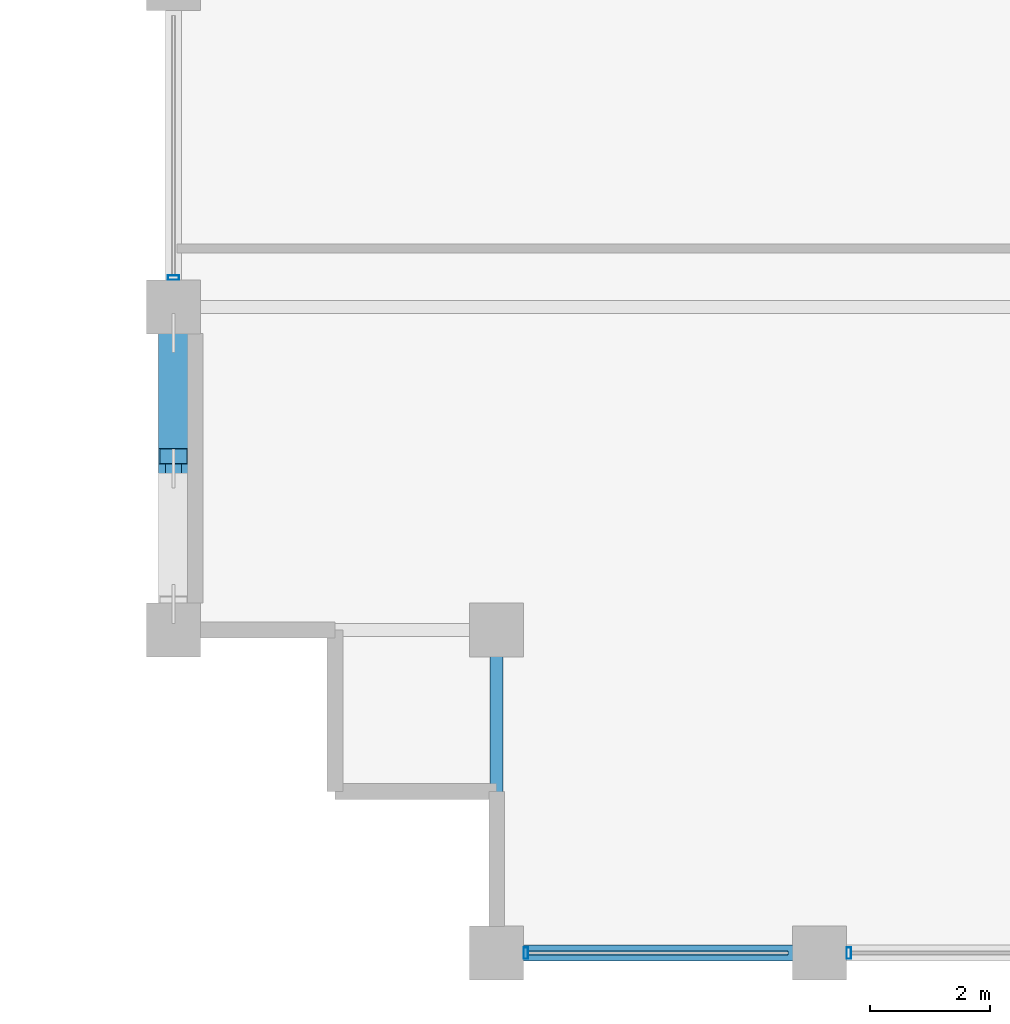
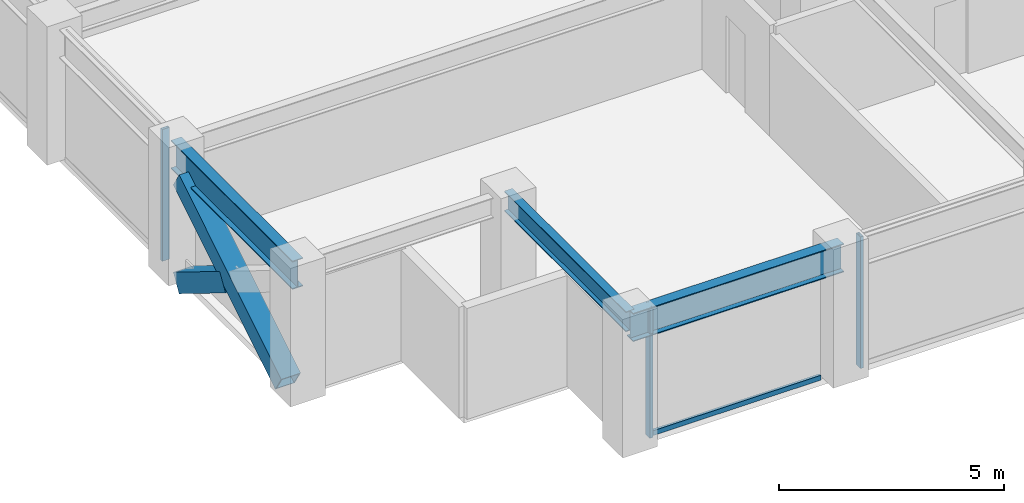
# One storey, part 2 of 28: 6 members, 3 beams, 2 elements without a shape of their own.
"""IFC4 building model written with IfcOpenShell, lengths in metres."""

from ifc_helpers import new_model, si_unit, direction, frame, origin, origin_2d, place, context, subcontext, project, spatial, hollow_rectangle, i_section, extrude, material, layer, layer_set, material_profile, profile_set, type_object, element, aggregate, save


model = new_model("IFC4")

# Units and contexts
model_context = context("Model", 3, precision=1e-05, world=origin(), true_north=direction((0.0, 1.0)))
body_context = subcontext(model_context, "Body", "Model", "MODEL_VIEW")
ifc_project = project(units=[si_unit("LENGTHUNIT", "METRE"), si_unit("AREAUNIT", "SQUARE_METRE"), si_unit("VOLUMEUNIT", "CUBIC_METRE"), si_unit("PLANEANGLEUNIT", "RADIAN"), si_unit("MASSUNIT", "GRAM", prefix="KILO")], contexts=[model_context])

# Site, building, storey
site_placement = place(None, origin())
site = spatial("IfcSite", under=ifc_project, at=site_placement, CompositionType="ELEMENT")
building_placement = place(site_placement, origin())
building = spatial("IfcBuilding", under=site, at=building_placement, Name="Surkhivell Harbour Commons", CompositionType="ELEMENT")
storey_placement = place(building_placement, frame((0.0, 0.0, 178.5)))
storey = spatial("IfcBuildingStorey", under=building, at=storey_placement, Name="L46", CompositionType="ELEMENT", Elevation=178.5)

# Beams
ifc_material_1 = material(Name="Steel S355", Category="steel")
ifc_material_profile_1 = material_profile(ifc_material_1, i_section(OverallWidth=0.2119140625, OverallDepth=0.5439453125, WebThickness=0.0126953125, FlangeThickness=0.021240234375, at=origin_2d()), Name="UB533x210x122")
ifc_profile_set_1 = profile_set([ifc_material_profile_1], Name="Steel S355")
beam_type_1 = type_object("IfcBeamType", Name="BM-GRD-533A", PredefinedType="BEAM", material=ifc_profile_set_1)
beam_1_placement = place(storey_placement, frame((-21.60009765625, -21.60009765625, 3.298095703125), z_axis=(0.0, 1.0, 0.0), x_axis=(-1.0, 0.0, 0.0)))
element("IfcBeam", 1, at=beam_1_placement, inside=storey, type_object=beam_type_1, Name="L46 Floor Girder (-21.6,-21.6)", PredefinedType="BEAM", context=body_context, shape_type="SweptSolid", body=[
    extrude(i_section(OverallWidth=0.2119140625, OverallDepth=0.5439453125, WebThickness=0.0126953125, FlangeThickness=0.021240234375, at=origin_2d()), origin(), (0.0, 0.0, 1.0), 5.400146484375),
])
ifc_material_profile_2 = material_profile(ifc_material_1, i_section(OverallWidth=0.26806640625, OverallDepth=0.77001953125, WebThickness=0.015625, FlangeThickness=0.025390625, at=origin_2d()), Name="UB762x267x197")
ifc_profile_set_2 = profile_set([ifc_material_profile_2], Name="Steel S355")
beam_type_2 = type_object("IfcBeamType", Name="BM-SPN-762", PredefinedType="SPANDREL", material=ifc_profile_set_2)
beam_2_placement = place(storey_placement, frame((-27.0, -16.199951171875, 3.18505859375), z_axis=(0.0, 1.0, 0.0), x_axis=(-1.0, 0.0, 0.0)))
element("IfcBeam", 2, at=beam_2_placement, inside=storey, type_object=beam_type_2, Name="L46 Tube Spandrel (-27.0,-16.2)", PredefinedType="SPANDREL", context=body_context, shape_type="SweptSolid", body=[
    extrude(i_section(OverallWidth=0.26806640625, OverallDepth=0.77001953125, WebThickness=0.015625, FlangeThickness=0.025390625, at=origin_2d()), origin(), (0.0, 0.0, 1.0), 5.39990234375),
])
beam_3_placement = place(storey_placement, frame((-21.60009765625, -21.60009765625, 3.18505859375), z_axis=(1.0, 0.0, 0.0), x_axis=(0.0, 1.0, 0.0)))
element("IfcBeam", 3, at=beam_3_placement, inside=storey, type_object=beam_type_2, Name="L46 Tube Spandrel (-21.6,-21.6)", PredefinedType="SPANDREL", context=body_context, shape_type="SweptSolid", body=[
    extrude(i_section(OverallWidth=0.26806640625, OverallDepth=0.77001953125, WebThickness=0.015625, FlangeThickness=0.025390625, at=origin_2d()), origin(), (0.0, 0.0, 1.0), 5.400146484375),
])

# Curtain wall, members
ifc_material_2 = material(Name="Anodised pale-metal aluminium and insulated glazing", Category="aluminium")
ifc_layer = layer(ifc_material_2, 0.18994140625)
ifc_layer_set = layer_set([ifc_layer], Name="Anodised pale-metal aluminium and insulated glazing")
curtain_wall_type = type_object("IfcCurtainWallType", Name="CW-SYS-Z3", PredefinedType="NOTDEFINED", material=ifc_layer_set)
curtain_wall_1_placement = place(storey_placement, origin())
curtain_wall_1 = element("IfcCurtainWall", 4, at=curtain_wall_1_placement, inside=storey, type_object=curtain_wall_type, Name="L46 Curtain Wall CW-L46-E00S1", PredefinedType="NOTDEFINED")
ifc_material_3 = material(Name="Anodised pale-metal aluminium alloy 6063-T6", Category="aluminium")
ifc_material_profile_3 = material_profile(ifc_material_3, hollow_rectangle(XDim=0.074951171875, YDim=0.18994140625, WallThickness=0.00390625, at=origin_2d()), Name="ALU-MULL-75x190")
ifc_profile_set_3 = profile_set([ifc_material_profile_3], Name="Anodised pale-metal aluminium alloy 6063-T6")
member_type_1 = type_object("IfcMemberType", Name="CWM-190", PredefinedType="MULLION", material=ifc_profile_set_3)
member_1_placement = place(storey_placement, frame((-21.110595703125, -21.60009765625, 0.0), z_axis=(0.0, 0.0, 1.0), x_axis=(1.0, 0.0, 0.0)))
member_1 = element("IfcMember", 5, at=member_1_placement, type_object=member_type_1, Name="CW-Z3 mullion 1", PredefinedType="MULLION", context=body_context, shape_type="SweptSolid", body=[
    extrude(hollow_rectangle(XDim=0.074951171875, YDim=0.18994140625, WallThickness=0.00390625, at=origin_2d()), origin(), (0.0, 0.0, 1.0), 3.570068359375),
])
member_2_placement = place(storey_placement, frame((-15.71044921875, -21.60009765625, 0.0), z_axis=(0.0, 0.0, 1.0), x_axis=(1.0, 0.0, 0.0)))
member_2 = element("IfcMember", 6, at=member_2_placement, type_object=member_type_1, Name="CW-Z3 mullion 2", PredefinedType="MULLION", context=body_context, shape_type="SweptSolid", body=[
    extrude(hollow_rectangle(XDim=0.074951171875, YDim=0.18994140625, WallThickness=0.00390625, at=origin_2d()), origin(), (0.0, 0.0, 1.0), 3.570068359375),
])

# Curtain wall, member
curtain_wall_2_placement = place(storey_placement, origin())
curtain_wall_2 = element("IfcCurtainWall", 7, at=curtain_wall_2_placement, inside=storey, type_object=curtain_wall_type, Name="L46 Curtain Wall CW-L46-E12R1S1", PredefinedType="NOTDEFINED")
member_3_placement = place(storey_placement, frame((-27.0, -10.310546875, 0.0), z_axis=(0.0, 0.0, 1.0), x_axis=(0.0, 1.0, 0.0)))
member_3 = element("IfcMember", 8, at=member_3_placement, type_object=member_type_1, Name="CW-Z3 mullion 1", PredefinedType="MULLION", context=body_context, shape_type="SweptSolid", body=[
    extrude(hollow_rectangle(XDim=0.074951171875, YDim=0.18994140625, WallThickness=0.00390625, at=origin_2d()), origin(), (0.0, 0.0, 1.0), 3.570068359375),
])
aggregate(curtain_wall_2, [member_3])

# Member
ifc_material_4 = material(Name="Champagne anodised aluminium alloy 6063-T6", Category="aluminium")
ifc_material_profile_4 = material_profile(ifc_material_4, hollow_rectangle(XDim=0.070068359375, YDim=0.1298828125, WallThickness=0.00341796875, at=origin_2d()), Name="ALU-TRAN-70x130")
ifc_profile_set_4 = profile_set([ifc_material_profile_4], Name="Champagne anodised aluminium alloy 6063-T6")
member_type_2 = type_object("IfcMemberType", Name="CWT-130", PredefinedType="USERDEFINED", material=ifc_profile_set_4)
member_4_placement = place(storey_placement, frame((-21.072998046875, -21.60009765625, 0.06494140625), z_axis=(1.0, 0.0, 0.0), x_axis=(0.0, 1.0, 0.0)))
member_4 = element("IfcMember", 9, at=member_4_placement, type_object=member_type_2, Name="CW-Z3 transom 1.1", ObjectType="TRANSOM", PredefinedType="USERDEFINED", context=body_context, shape_type="SweptSolid", body=[
    extrude(hollow_rectangle(XDim=0.070068359375, YDim=0.1298828125, WallThickness=0.00341796875, at=origin_2d()), origin(), (0.0, 0.0, 1.0), 4.345947265625),
])

aggregate(curtain_wall_1, [member_1, member_4, member_2])

# Members
ifc_material_5 = material(Name="Steel S460", Category="steel")
ifc_material_profile_5 = material_profile(ifc_material_5, hollow_rectangle(XDim=0.5, YDim=0.5, WallThickness=0.02490234375, at=origin_2d()), Name="SHS500x500x25")
ifc_profile_set_5 = profile_set([ifc_material_profile_5], Name="Steel S460")
member_type_3 = type_object("IfcMemberType", Name="MEM-BRC-SHS500", PredefinedType="BRACE", material=ifc_profile_set_5)
member_5_placement = place(storey_placement, frame((-27.0, -15.764892578125, 0.008056640625), z_axis=(0.0, 0.850958380769, 0.525233123669), x_axis=(-1.0, 0.0, 0.0)))
element("IfcMember", 10, at=member_5_placement, inside=storey, type_object=member_type_3, Name="L46 Perimeter Mega-Brace MB- 10", PredefinedType="BRACE", context=body_context, shape_type="SweptSolid", body=[
    extrude(hollow_rectangle(XDim=0.5, YDim=0.5, WallThickness=0.02490234375, at=origin_2d()), origin(), (0.0, 0.0, 1.0), 5.3232421875),
])
member_6_placement = place(storey_placement, frame((-27.0, -11.235107421875, 0.008056640625), z_axis=(0.0, -0.8510034189, 0.525160147974), x_axis=(1.0, 0.0, 0.0)))
element("IfcMember", 11, at=member_6_placement, inside=storey, type_object=member_type_3, Name="L46 Perimeter Mega-Brace MB- 11", PredefinedType="BRACE", context=body_context, shape_type="SweptSolid", body=[
    extrude(hollow_rectangle(XDim=0.5, YDim=0.5, WallThickness=0.02490234375, at=origin_2d()), origin(), (0.0, 0.0, 1.0), 2.421630859375),
])

save(model, "model.ifc")
